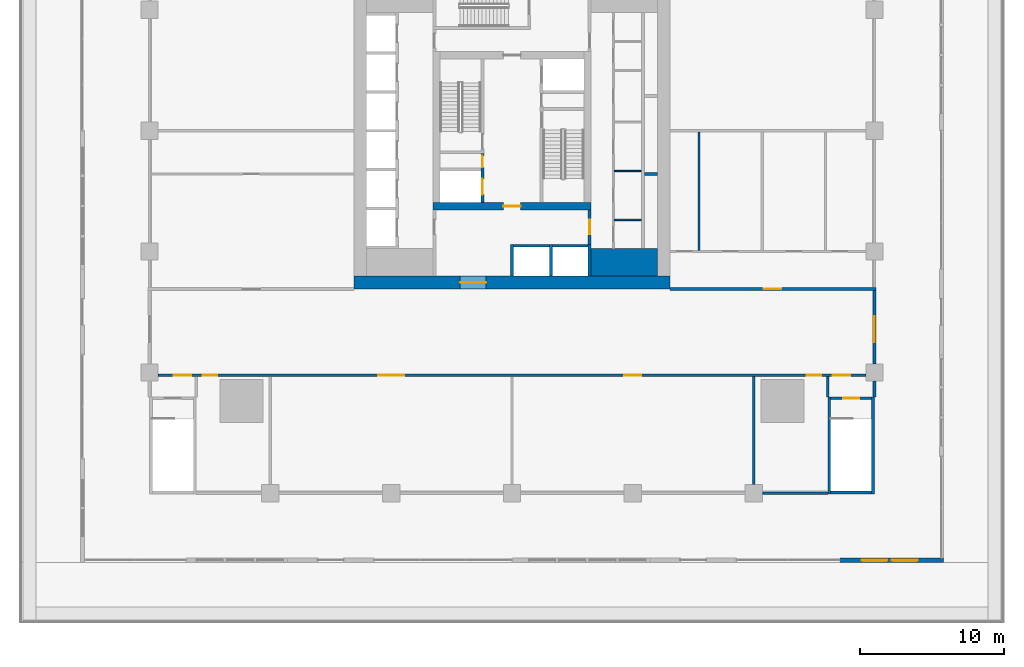
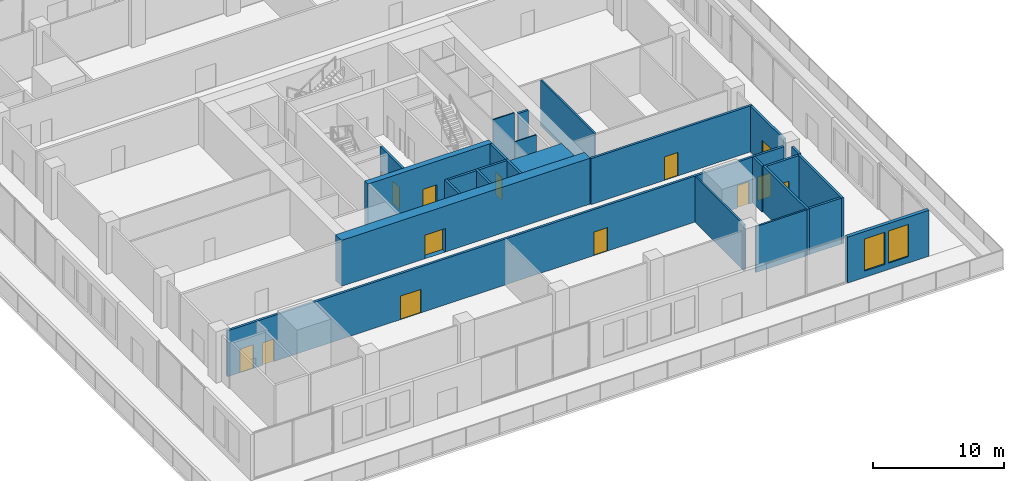
# One storey, part 13 of 22: 26 walls, 14 doors, 2 windows, 16 openings.
"""IFC4 building model written with IfcOpenShell, lengths in metres."""

from ifc_helpers import new_model, si_unit, direction, frame, frame_2d, origin, place, context, subcontext, project, spatial, rectangle, extrude, material, layer, layer_set, type_object, element, fill, save


model = new_model("IFC4")

# Units and contexts
model_context = context("Model", 3, precision=1e-05, world=origin(), true_north=direction((0.0, 1.0)))
body_context = subcontext(model_context, "Body", "Model", "MODEL_VIEW")
ifc_project = project(units=[si_unit("LENGTHUNIT", "METRE"), si_unit("AREAUNIT", "SQUARE_METRE"), si_unit("VOLUMEUNIT", "CUBIC_METRE"), si_unit("PLANEANGLEUNIT", "RADIAN"), si_unit("MASSUNIT", "GRAM", prefix="KILO")], contexts=[model_context])

# Site, building, storey
site_placement = place(None, origin())
site = spatial("IfcSite", under=ifc_project, at=site_placement, CompositionType="ELEMENT")
building_placement = place(site_placement, origin())
building = spatial("IfcBuilding", under=site, at=building_placement, Name="Khepri Terraces", CompositionType="ELEMENT")
storey_placement = place(building_placement, frame((0.0, 0.0, 22.199951171875)))
storey = spatial("IfcBuildingStorey", under=building, at=storey_placement, Name="L04", CompositionType="ELEMENT", Elevation=22.199951171875)

# Walls
ifc_material_1 = material(Name="Concrete C80/95", Category="concrete")
ifc_layer_1 = layer(ifc_material_1, 1.89990234375, Name="Concrete C80/95", Category="concrete")
ifc_layer_set_1 = layer_set([ifc_layer_1], Name="Concrete C80/95")
wall_type_1 = type_object("IfcWallType", Name="Core wall 1900 C80/95", PredefinedType="SHEAR", material=ifc_layer_set_1)
wall_1_placement = place(storey_placement, frame((5.5, -9.14990234375, 0.0), z_axis=(0.0, 0.0, 1.0), x_axis=(1.0, 0.0, 0.0)))
element("IfcWall", 1, at=wall_1_placement, inside=storey, type_object=wall_type_1, Name="Core wall PR02 L04", PredefinedType="SHEAR", context=body_context, shape_type="SweptSolid", body=[
    extrude(rectangle(XDim=4.60009765625, YDim=1.89990234375, at=frame_2d((2.300048828125, 0.0))), origin(), (0.0, 0.0, 1.0), 4.300048828125),
])
ifc_layer_2 = layer(ifc_material_1, 0.199951171875, Name="Concrete C80/95", Category="concrete")
ifc_layer_set_2 = layer_set([ifc_layer_2], Name="Concrete C80/95")
wall_type_2 = type_object("IfcWallType", Name="Core wall 200 C80/95", PredefinedType="SHEAR", material=ifc_layer_set_2)
for number, where, z_axis, x_axis, name in (
    (2, (0.0, -10.10009765625, 0.0), (0.0, 0.0, 1.0), (0.0, 1.0, 0.0), "Core wall SH01 L04"),
    (3, (2.699951171875, -10.10009765625, 0.0), (0.0, 0.0, 1.0), (0.0, 1.0, 0.0), "Core wall SH02 L04"),
    (4, (5.39990234375, -10.10009765625, 0.0), (0.0, 0.0, 1.0), (0.0, 1.0, 0.0), "Core wall SH03 L04"),
):
    element("IfcWall", number, at=place(storey_placement, frame(where, z_axis=z_axis, x_axis=x_axis)), inside=storey, type_object=wall_type_2, Name=name, PredefinedType="SHEAR", context=body_context, shape_type="SweptSolid", body=[
        extrude(rectangle(XDim=2.2001953125, YDim=0.199951171875, at=frame_2d((1.10009765625, 0.0))), origin(), (0.0, 0.0, 1.0), 4.300048828125),
    ])
for number, where, z_axis, x_axis, name in (
    (5, (0.10009765625, -8.0, 0.0), (0.0, 0.0, 1.0), (1.0, 0.0, 0.0), "Core wall SH06 L04"),
    (6, (2.800048828125, -8.0, 0.0), (0.0, 0.0, 1.0), (1.0, 0.0, 0.0), "Core wall SH07 L04"),
):
    element("IfcWall", number, at=place(storey_placement, frame(where, z_axis=z_axis, x_axis=x_axis)), inside=storey, type_object=wall_type_2, Name=name, PredefinedType="SHEAR", context=body_context, shape_type="SweptSolid", body=[
        extrude(rectangle(XDim=2.5, YDim=0.199951171875, at=frame_2d((1.25, 0.0))), origin(), (0.0, 0.0, 1.0), 4.300048828125),
    ])

# Wall, openings, doors
wall_2_placement = place(storey_placement, frame((-2.050048828125, -5.0, 0.0), z_axis=(0.0, 0.0, 1.0), x_axis=(0.0, 1.0, 0.0)))
wall_2 = element("IfcWall", 7, at=wall_2_placement, inside=storey, type_object=wall_type_2, Name="Core wall SH10 L04", PredefinedType="SHEAR", context=body_context, shape_type="SweptSolid", body=[
    extrude(rectangle(XDim=3.39990234375, YDim=0.199951171875, at=frame_2d((1.699951171875, 0.0))), origin(), (0.0, 0.0, 1.0), 4.300048828125),
])
opening_1_placement = place(wall_2_placement, frame((0.550048828125, 0.0, 0.0)))
opening_1 = element("IfcOpeningElement", 8, at=opening_1_placement, cuts=wall_2, Name="Opening L04-C08", PredefinedType="OPENING", context=body_context, shape_type="SweptSolid", body=[
    extrude(rectangle(XDim=1.10009765625, YDim=2.10009765625, at=frame_2d((0.550048828125, 1.050048828125))), frame((0.0, 0.10986328125, 0.0), z_axis=(0.0, -1.0, 0.0), x_axis=(1.0, 0.0, 0.0)), (0.0, 0.0, 1.0), 0.219970703125),
])
opening_2_placement = place(wall_2_placement, frame((2.449951171875, 0.0, 0.0)))
opening_2 = element("IfcOpeningElement", 9, at=opening_2_placement, cuts=wall_2, Name="Opening L04-C12", PredefinedType="OPENING", context=body_context, shape_type="SweptSolid", body=[
    extrude(rectangle(XDim=0.800048828125, YDim=2.10009765625, at=frame_2d((0.39990234375, 1.050048828125))), frame((0.0, 0.10986328125, 0.0), z_axis=(0.0, -1.0, 0.0), x_axis=(1.0, 0.0, 0.0)), (0.0, 0.0, 1.0), 0.219970703125),
])
ifc_material_2 = material(Name="Stainless steel 304", Category="steel")
door_type_1 = type_object("IfcDoorType", Name="DR-CORE-FF-LANDING-1100", OperationType="NOTDEFINED", PredefinedType="DOOR", material=ifc_material_2)
door_1_placement = place(opening_1_placement, origin())
door_1 = element("IfcDoor", 10, at=door_1_placement, inside=storey, type_object=door_type_1, Name="Firefighting lift landing door L04-C08", OperationType="SLIDING_TO_LEFT", OverallHeight=2.10009765625, OverallWidth=1.10009765625, PredefinedType="DOOR", context=body_context, shape_type="SweptSolid", body=[
    extrude(rectangle(XDim=1.10009765625, YDim=2.10009765625, at=frame_2d((0.550048828125, 1.050048828125))), frame((0.0, 0.02490234375, 0.0), z_axis=(0.0, -1.0, 0.0), x_axis=(1.0, 0.0, 0.0)), (0.0, 0.0, 1.0), 0.050048828125),
])
fill(opening_1, door_1)
ifc_material_3 = material(Name="Painted steel", Category="steel")
door_type_2 = type_object("IfcDoorType", Name="DR-CORE-RISER-800", OperationType="NOTDEFINED", PredefinedType="DOOR", material=ifc_material_3)
door_2_placement = place(opening_2_placement, origin())
door_2 = element("IfcDoor", 11, at=door_2_placement, inside=storey, type_object=door_type_2, Name="Riser door L04-C12", OperationType="SINGLE_SWING_RIGHT", OverallHeight=2.10009765625, OverallWidth=0.800048828125, PredefinedType="DOOR", context=body_context, shape_type="SweptSolid", body=[
    extrude(rectangle(XDim=0.800048828125, YDim=2.10009765625, at=frame_2d((0.39990234375, 1.050048828125))), frame((0.0, 0.02490234375, 0.0), z_axis=(0.0, -1.0, 0.0), x_axis=(1.0, 0.0, 0.0)), (0.0, 0.0, 1.0), 0.050048828125),
])
fill(opening_2, door_2)

# Wall
wall_3_placement = place(storey_placement, frame((9.199951171875, -3.0, 0.0), z_axis=(0.0, 0.0, 1.0), x_axis=(1.0, 0.0, 0.0)))
element("IfcWall", 12, at=wall_3_placement, inside=storey, type_object=wall_type_2, Name="Core wall SH11 L04", PredefinedType="SHEAR", context=body_context, shape_type="SweptSolid", body=[
    extrude(rectangle(XDim=0.900146484375, YDim=0.199951171875, at=frame_2d((0.4501953125, 0.0))), origin(), (0.0, 0.0, 1.0), 4.300048828125),
])

# Wall, opening, door
ifc_layer_3 = layer(ifc_material_1, 0.5, Name="Concrete C80/95", Category="concrete")
ifc_layer_set_3 = layer_set([ifc_layer_3], Name="Concrete C80/95")
wall_type_3 = type_object("IfcWallType", Name="Core wall 500 C80/95", PredefinedType="SHEAR", material=ifc_layer_set_3)
wall_4_placement = place(storey_placement, frame((-5.5, -5.25, 0.0), z_axis=(0.0, 0.0, 1.0), x_axis=(1.0, 0.0, 0.0)))
wall_4 = element("IfcWall", 13, at=wall_4_placement, inside=storey, type_object=wall_type_3, Name="Core wall BX01 L04", PredefinedType="SHEAR", context=body_context, shape_type="SweptSolid", body=[
    extrude(rectangle(XDim=11.0, YDim=0.5, at=frame_2d((5.5, 0.0))), origin(), (0.0, 0.0, 1.0), 4.300048828125),
])
opening_3_placement = place(wall_4_placement, frame((4.89990234375, 0.0, 0.0)))
opening_3 = element("IfcOpeningElement", 14, at=opening_3_placement, cuts=wall_4, Name="Opening L04-C14", PredefinedType="OPENING", context=body_context, shape_type="SweptSolid", body=[
    extrude(rectangle(XDim=1.199951171875, YDim=2.10009765625, at=frame_2d((0.60009765625, 1.050048828125))), frame((0.0, 0.260009765625, 0.0), z_axis=(0.0, -1.0, 0.0), x_axis=(1.0, 0.0, 0.0)), (0.0, 0.0, 1.0), 0.52001953125),
])
door_type_3 = type_object("IfcDoorType", Name="DR-CORE-FF-LOBBY-1200", OperationType="NOTDEFINED", PredefinedType="DOOR", material=ifc_material_3)
door_3_placement = place(opening_3_placement, origin())
door_3 = element("IfcDoor", 15, at=door_3_placement, inside=storey, type_object=door_type_3, Name="Firefighting lobby door L04-C14", OperationType="SINGLE_SWING_RIGHT", OverallHeight=2.10009765625, OverallWidth=1.199951171875, PredefinedType="DOOR", context=body_context, shape_type="SweptSolid", body=[
    extrude(rectangle(XDim=1.199951171875, YDim=2.10009765625, at=frame_2d((0.60009765625, 1.050048828125))), frame((0.0, 0.02490234375, 0.0), z_axis=(0.0, -1.0, 0.0), x_axis=(1.0, 0.0, 0.0)), (0.0, 0.0, 1.0), 0.050048828125),
])
fill(opening_3, door_3)

ifc_layer_4 = layer(ifc_material_1, 0.89990234375, Name="Concrete C80/95", Category="concrete")
ifc_layer_set_4 = layer_set([ifc_layer_4], Name="Concrete C80/95")
wall_type_4 = type_object("IfcWallType", Name="Core wall 900 C80/95", PredefinedType="SHEAR", material=ifc_layer_set_4)
wall_5_placement = place(storey_placement, frame((-11.0, -10.550048828125, 0.0), z_axis=(0.0, 0.0, 1.0), x_axis=(1.0, 0.0, 0.0)))
wall_5 = element("IfcWall", 16, at=wall_5_placement, inside=storey, type_object=wall_type_4, Name="Core wall OW-S L04", PredefinedType="SHEAR", context=body_context, shape_type="SweptSolid", body=[
    extrude(rectangle(XDim=22.0, YDim=0.89990234375, at=frame_2d((11.0, 0.0))), origin(), (0.0, 0.0, 1.0), 4.300048828125),
])
opening_4_placement = place(wall_5_placement, frame((7.39990234375, 0.0, 0.0)))
opening_4 = element("IfcOpeningElement", 17, at=opening_4_placement, cuts=wall_5, Name="Opening L04-C21", PredefinedType="OPENING", context=body_context, shape_type="SweptSolid", body=[
    extrude(rectangle(XDim=1.800048828125, YDim=2.199951171875, at=frame_2d((0.89990234375, 1.10009765625))), frame((0.0, 0.4599609375, 0.0), z_axis=(0.0, -1.0, 0.0), x_axis=(1.0, 0.0, 0.0)), (0.0, 0.0, 1.0), 0.919921875),
])
door_type_4 = type_object("IfcDoorType", Name="DR-CORE-ENTRANCE-1800", OperationType="NOTDEFINED", PredefinedType="DOOR", material=ifc_material_3)
door_4_placement = place(opening_4_placement, frame((1.800048828125, 0.0, 0.0), z_axis=(0.0, 0.0, 1.0), x_axis=(-1.0, 0.0, 0.0)))
door_4 = element("IfcDoor", 18, at=door_4_placement, inside=storey, type_object=door_type_4, Name="Core entrance door pair L04-C21", OperationType="DOUBLE_DOOR_SINGLE_SWING", OverallHeight=2.199951171875, OverallWidth=1.800048828125, PredefinedType="DOOR", context=body_context, shape_type="SweptSolid", body=[
    extrude(rectangle(XDim=1.800048828125, YDim=2.199951171875, at=frame_2d((0.89990234375, 1.10009765625))), frame((0.0, 0.02490234375, 0.0), z_axis=(0.0, -1.0, 0.0), x_axis=(1.0, 0.0, 0.0)), (0.0, 0.0, 1.0), 0.050048828125),
])
fill(opening_4, door_4)

# Walls
ifc_material_4 = material(Name="Fire-rated gypsum board partition")
ifc_layer_5 = layer(ifc_material_4, 0.10009765625, Name="Fire-rated gypsum board partition")
ifc_layer_set_5 = layer_set([ifc_layer_5], Name="Fire-rated gypsum board partition")
wall_type_5 = type_object("IfcWallType", Name="WL-CORE-PART-100", PredefinedType="PARTITIONING", material=ifc_layer_set_5)
for number, where, z_axis, x_axis, name in (
    (19, (7.10009765625, -6.199951171875, 0.0), (0.0, 0.0, 1.0), (1.0, 0.0, 0.0), "Core partition PT04 L04"),
    (20, (7.10009765625, -2.800048828125, 0.0), (0.0, 0.0, 1.0), (1.0, 0.0, 0.0), "Core partition PT05 L04"),
):
    element("IfcWall", number, at=place(storey_placement, frame(where, z_axis=z_axis, x_axis=x_axis)), inside=storey, type_object=wall_type_5, Name=name, PredefinedType="PARTITIONING", context=body_context, shape_type="SweptSolid", body=[
        extrude(rectangle(XDim=1.89990234375, YDim=0.10009765625, at=frame_2d((0.949951171875, 0.0))), origin(), (0.0, 0.0, 1.0), 4.300048828125),
    ])

# Wall, opening, door
ifc_layer_6 = layer(ifc_material_4, 0.199951171875, Name="Fire-rated gypsum board partition")
ifc_layer_set_6 = layer_set([ifc_layer_6], Name="Fire-rated gypsum board partition")
wall_type_6 = type_object("IfcWallType", Name="WL-CORE-PART-200", PredefinedType="PARTITIONING", material=ifc_layer_set_6)
wall_6_placement = place(storey_placement, frame((5.39990234375, -7.89990234375, 0.0), z_axis=(0.0, 0.0, 1.0), x_axis=(0.0, 1.0, 0.0)))
wall_6 = element("IfcWall", 21, at=wall_6_placement, inside=storey, type_object=wall_type_6, Name="Core partition PT03 L04", PredefinedType="PARTITIONING", context=body_context, shape_type="SweptSolid", body=[
    extrude(rectangle(XDim=2.39990234375, YDim=0.199951171875, at=frame_2d((1.199951171875, 0.0))), origin(), (0.0, 0.0, 1.0), 4.300048828125),
])
opening_5_placement = place(wall_6_placement, frame((0.699951171875, 0.0, 0.0)))
opening_5 = element("IfcOpeningElement", 22, at=opening_5_placement, cuts=wall_6, Name="Opening L04-C19", PredefinedType="OPENING", context=body_context, shape_type="SweptSolid", body=[
    extrude(rectangle(XDim=1.0, YDim=2.10009765625, at=frame_2d((0.5, 1.050048828125))), frame((0.0, 0.10986328125, 0.0), z_axis=(0.0, -1.0, 0.0), x_axis=(1.0, 0.0, 0.0)), (0.0, 0.0, 1.0), 0.219970703125),
])
door_type_5 = type_object("IfcDoorType", Name="DR-CORE-LOBBY-1000", OperationType="NOTDEFINED", PredefinedType="DOOR", material=ifc_material_3)
door_5_placement = place(opening_5_placement, origin())
door_5 = element("IfcDoor", 23, at=door_5_placement, inside=storey, type_object=door_type_5, Name="Lobby door L04-C19", OperationType="SINGLE_SWING_RIGHT", OverallHeight=2.10009765625, OverallWidth=1.0, PredefinedType="DOOR", context=body_context, shape_type="SweptSolid", body=[
    extrude(rectangle(XDim=1.0, YDim=2.10009765625, at=frame_2d((0.5, 1.050048828125))), frame((0.0, 0.02490234375, 0.0), z_axis=(0.0, -1.0, 0.0), x_axis=(1.0, 0.0, 0.0)), (0.0, 0.0, 1.0), 0.050048828125),
])
fill(opening_5, door_5)

# Wall, openings, windows
ifc_material_5 = material(Name="Precast concrete C50/60 warm stone", Category="masonry")
ifc_layer_7 = layer(ifc_material_5, 0.300048828125, Name="Precast concrete C50/60 warm stone", Category="masonry")
ifc_layer_set_7 = layer_set([ifc_layer_7], Name="Precast concrete C50/60 warm stone")
wall_type_7 = type_object("IfcWallType", Name="WL-EXT-PRECAST-300", PredefinedType="STANDARD", material=ifc_layer_set_7)
wall_7_placement = place(storey_placement, frame((22.800048828125, -29.85009765625, 0.0), z_axis=(0.0, 0.0, 1.0), x_axis=(1.0, 0.0, 0.0)))
wall_7 = element("IfcWall", 24, at=wall_7_placement, inside=storey, type_object=wall_type_7, Name="External wall L04 S", PredefinedType="STANDARD", context=body_context, shape_type="SweptSolid", body=[
    extrude(rectangle(XDim=7.199951171875, YDim=0.300048828125, at=frame_2d((3.60009765625, 0.0))), origin(), (0.0, 0.0, 1.0), 4.300048828125),
])
opening_6_placement = place(wall_7_placement, frame((1.5, 0.0, 0.60009765625)))
opening_6 = element("IfcOpeningElement", 25, at=opening_6_placement, cuts=wall_7, Name="Opening WP1", PredefinedType="OPENING", context=body_context, shape_type="SweptSolid", body=[
    extrude(rectangle(XDim=1.800048828125, YDim=3.0, at=frame_2d((0.89990234375, 1.5))), frame((0.0, 0.16015625, 0.0), z_axis=(0.0, -1.0, 0.0), x_axis=(1.0, 0.0, 0.0)), (0.0, 0.0, 1.0), 0.320068359375),
])
opening_7_placement = place(wall_7_placement, frame((3.60009765625, 0.0, 0.60009765625)))
opening_7 = element("IfcOpeningElement", 26, at=opening_7_placement, cuts=wall_7, Name="Opening WP1", PredefinedType="OPENING", context=body_context, shape_type="SweptSolid", body=[
    extrude(rectangle(XDim=1.800048828125, YDim=3.0, at=frame_2d((0.89990234375, 1.5))), frame((0.0, 0.16015625, 0.0), z_axis=(0.0, -1.0, 0.0), x_axis=(1.0, 0.0, 0.0)), (0.0, 0.0, 1.0), 0.320068359375),
])
ifc_material_6 = material(Name="Clear glass", Category="glass")
window_type = type_object("IfcWindowType", Name="WIN-POD-1800x3000", PartitioningType="SINGLE_PANEL", PredefinedType="WINDOW", material=ifc_material_6)
window_1_placement = place(opening_6_placement, origin())
window_1 = element("IfcWindow", 27, at=window_1_placement, inside=storey, type_object=window_type, Name="Window L04 S", OverallHeight=3.0, OverallWidth=1.800048828125, PartitioningType="SINGLE_PANEL", PredefinedType="WINDOW", context=body_context, shape_type="SweptSolid", body=[
    extrude(rectangle(XDim=1.800048828125, YDim=3.0, at=frame_2d((0.89990234375, 1.5))), frame((0.0, 0.030029296875, 0.0), z_axis=(0.0, -1.0, 0.0), x_axis=(1.0, 0.0, 0.0)), (0.0, 0.0, 1.0), 0.06005859375),
])
fill(opening_6, window_1)
window_2_placement = place(opening_7_placement, origin())
window_2 = element("IfcWindow", 28, at=window_2_placement, inside=storey, type_object=window_type, Name="Window L04 S", OverallHeight=3.0, OverallWidth=1.800048828125, PartitioningType="SINGLE_PANEL", PredefinedType="WINDOW", context=body_context, shape_type="SweptSolid", body=[
    extrude(rectangle(XDim=1.800048828125, YDim=3.0, at=frame_2d((0.89990234375, 1.5))), frame((0.0, 0.030029296875, 0.0), z_axis=(0.0, -1.0, 0.0), x_axis=(1.0, 0.0, 0.0)), (0.0, 0.0, 1.0), 0.06005859375),
])
fill(opening_7, window_2)

# Walls
ifc_material_7 = material(Name="Gypsum board partition")
ifc_layer_8 = layer(ifc_material_7, 0.14990234375, Name="Gypsum board partition")
ifc_layer_set_8 = layer_set([ifc_layer_8], Name="Gypsum board partition")
wall_type_8 = type_object("IfcWallType", Name="WL-POD-150", PredefinedType="PARTITIONING", material=ifc_layer_set_8)
wall_8_placement = place(storey_placement, frame((17.39990234375, -25.199951171875, 0.0), z_axis=(0.0, 0.0, 1.0), x_axis=(1.0, 0.0, 0.0)))
element("IfcWall", 29, at=wall_8_placement, inside=storey, type_object=wall_type_8, Name="Partition L04-PW006", PredefinedType="PARTITIONING", context=body_context, shape_type="SweptSolid", body=[
    extrude(rectangle(XDim=4.550048828125, YDim=0.14990234375, at=frame_2d((2.27490234375, 0.0))), origin(), (0.0, 0.0, 1.0), 4.300048828125),
])
wall_9_placement = place(storey_placement, frame((13.0, -8.324951171875, 0.0), z_axis=(0.0, 0.0, 1.0), x_axis=(0.0, 1.0, 0.0)))
element("IfcWall", 30, at=wall_9_placement, inside=storey, type_object=wall_type_8, Name="Partition L04-PW037", PredefinedType="PARTITIONING", context=body_context, shape_type="SweptSolid", body=[
    extrude(rectangle(XDim=8.25, YDim=0.14990234375, at=frame_2d((4.125, 0.0))), origin(), (0.0, 0.0, 1.0), 4.300048828125),
])
wall_10_placement = place(storey_placement, frame((16.800048828125, -24.60009765625, 0.0), z_axis=(0.0, 0.0, 1.0), x_axis=(0.0, 1.0, 0.0)))
element("IfcWall", 31, at=wall_10_placement, inside=storey, type_object=wall_type_8, Name="Partition L04-PW038", PredefinedType="PARTITIONING", context=body_context, shape_type="SweptSolid", body=[
    extrude(rectangle(XDim=7.5, YDim=0.14990234375, at=frame_2d((3.75, 0.0))), origin(), (0.0, 0.0, 1.0), 4.300048828125),
])

# Wall, openings, doors
ifc_material_8 = material(Name="Fire-rated block wall")
ifc_layer_9 = layer(ifc_material_8, 0.199951171875, Name="Fire-rated block wall")
ifc_layer_set_9 = layer_set([ifc_layer_9], Name="Fire-rated block wall")
wall_type_9 = type_object("IfcWallType", Name="WL-POD-200-EI60", PredefinedType="PARTITIONING", material=ifc_layer_set_9)
wall_11_placement = place(storey_placement, frame((-24.60009765625, -17.0, 0.0), z_axis=(0.0, 0.0, 1.0), x_axis=(1.0, 0.0, 0.0)))
wall_11 = element("IfcWall", 32, at=wall_11_placement, inside=storey, type_object=wall_type_9, Name="Partition L04-PW007", PredefinedType="PARTITIONING", context=body_context, shape_type="SweptSolid", body=[
    extrude(rectangle(XDim=49.2001953125, YDim=0.199951171875, at=frame_2d((24.60009765625, 0.0))), origin(), (0.0, 0.0, 1.0), 4.300048828125),
])
opening_8_placement = place(wall_11_placement, frame((1.10009765625, 0.0, 0.0)))
opening_8 = element("IfcOpeningElement", 33, at=opening_8_placement, cuts=wall_11, Name="Opening L04-P01", PredefinedType="OPENING", context=body_context, shape_type="SweptSolid", body=[
    extrude(rectangle(XDim=1.199951171875, YDim=2.199951171875, at=frame_2d((0.60009765625, 1.10009765625))), frame((0.0, 0.10986328125, 0.0), z_axis=(0.0, -1.0, 0.0), x_axis=(1.0, 0.0, 0.0)), (0.0, 0.0, 1.0), 0.219970703125),
])
opening_9_placement = place(wall_11_placement, frame((3.10009765625, 0.0, 0.0)))
opening_9 = element("IfcOpeningElement", 34, at=opening_9_placement, cuts=wall_11, Name="Opening L04-P02", PredefinedType="OPENING", context=body_context, shape_type="SweptSolid", body=[
    extrude(rectangle(XDim=1.0, YDim=2.10009765625, at=frame_2d((0.5, 1.050048828125))), frame((0.0, 0.10986328125, 0.0), z_axis=(0.0, -1.0, 0.0), x_axis=(1.0, 0.0, 0.0)), (0.0, 0.0, 1.0), 0.219970703125),
])
opening_10_placement = place(wall_11_placement, frame((15.300048828125, 0.0, 0.0)))
opening_10 = element("IfcOpeningElement", 35, at=opening_10_placement, cuts=wall_11, Name="Opening L04-P03", PredefinedType="OPENING", context=body_context, shape_type="SweptSolid", body=[
    extrude(rectangle(XDim=1.800048828125, YDim=2.199951171875, at=frame_2d((0.89990234375, 1.10009765625))), frame((0.0, 0.10986328125, 0.0), z_axis=(0.0, -1.0, 0.0), x_axis=(1.0, 0.0, 0.0)), (0.0, 0.0, 1.0), 0.219970703125),
])
opening_11_placement = place(wall_11_placement, frame((32.39990234375, 0.0, 0.0)))
opening_11 = element("IfcOpeningElement", 36, at=opening_11_placement, cuts=wall_11, Name="Opening L04-P04", PredefinedType="OPENING", context=body_context, shape_type="SweptSolid", body=[
    extrude(rectangle(XDim=1.199951171875, YDim=2.199951171875, at=frame_2d((0.60009765625, 1.10009765625))), frame((0.0, 0.10986328125, 0.0), z_axis=(0.0, -1.0, 0.0), x_axis=(1.0, 0.0, 0.0)), (0.0, 0.0, 1.0), 0.219970703125),
])
opening_12_placement = place(wall_11_placement, frame((45.10009765625, 0.0, 0.0)))
opening_12 = element("IfcOpeningElement", 37, at=opening_12_placement, cuts=wall_11, Name="Opening L04-P05", PredefinedType="OPENING", context=body_context, shape_type="SweptSolid", body=[
    extrude(rectangle(XDim=1.0, YDim=2.10009765625, at=frame_2d((0.5, 1.050048828125))), frame((0.0, 0.10986328125, 0.0), z_axis=(0.0, -1.0, 0.0), x_axis=(1.0, 0.0, 0.0)), (0.0, 0.0, 1.0), 0.219970703125),
])
opening_13_placement = place(wall_11_placement, frame((46.89990234375, 0.0, 0.0)))
opening_13 = element("IfcOpeningElement", 38, at=opening_13_placement, cuts=wall_11, Name="Opening L04-P06", PredefinedType="OPENING", context=body_context, shape_type="SweptSolid", body=[
    extrude(rectangle(XDim=1.199951171875, YDim=2.199951171875, at=frame_2d((0.60009765625, 1.10009765625))), frame((0.0, 0.10986328125, 0.0), z_axis=(0.0, -1.0, 0.0), x_axis=(1.0, 0.0, 0.0)), (0.0, 0.0, 1.0), 0.219970703125),
])
door_type_6 = type_object("IfcDoorType", Name="DR-POD-FIRE-1200", OperationType="NOTDEFINED", PredefinedType="DOOR", material=ifc_material_3)
door_6_placement = place(opening_8_placement, origin())
door_6 = element("IfcDoor", 39, at=door_6_placement, inside=storey, type_object=door_type_6, Name="Fire door L04-P01", OperationType="SINGLE_SWING_LEFT", OverallHeight=2.199951171875, OverallWidth=1.199951171875, PredefinedType="DOOR", context=body_context, shape_type="SweptSolid", body=[
    extrude(rectangle(XDim=1.199951171875, YDim=2.199951171875, at=frame_2d((0.60009765625, 1.10009765625))), frame((0.0, 0.02490234375, 0.0), z_axis=(0.0, -1.0, 0.0), x_axis=(1.0, 0.0, 0.0)), (0.0, 0.0, 1.0), 0.050048828125),
])
fill(opening_8, door_6)
door_7_placement = place(opening_13_placement, origin())
door_7 = element("IfcDoor", 40, at=door_7_placement, inside=storey, type_object=door_type_6, Name="Fire door L04-P06", OperationType="SINGLE_SWING_RIGHT", OverallHeight=2.199951171875, OverallWidth=1.199951171875, PredefinedType="DOOR", context=body_context, shape_type="SweptSolid", body=[
    extrude(rectangle(XDim=1.199951171875, YDim=2.199951171875, at=frame_2d((0.60009765625, 1.10009765625))), frame((0.0, 0.02490234375, 0.0), z_axis=(0.0, -1.0, 0.0), x_axis=(1.0, 0.0, 0.0)), (0.0, 0.0, 1.0), 0.050048828125),
])
fill(opening_13, door_7)
ifc_material_9 = material(Name="Glazed aluminium", Category="aluminium")
door_type_7 = type_object("IfcDoorType", Name="DR-POD-PAIR-1800", OperationType="DOUBLE_DOOR_SINGLE_SWING", PredefinedType="DOOR", material=ifc_material_9)
door_8_placement = place(opening_10_placement, origin())
door_8 = element("IfcDoor", 41, at=door_8_placement, inside=storey, type_object=door_type_7, Name="Double door L04-P03", OperationType="DOUBLE_DOOR_SINGLE_SWING", OverallHeight=2.199951171875, OverallWidth=1.800048828125, PredefinedType="DOOR", context=body_context, shape_type="SweptSolid", body=[
    extrude(rectangle(XDim=1.800048828125, YDim=2.199951171875, at=frame_2d((0.89990234375, 1.10009765625))), frame((0.0, 0.02490234375, 0.0), z_axis=(0.0, -1.0, 0.0), x_axis=(1.0, 0.0, 0.0)), (0.0, 0.0, 1.0), 0.050048828125),
])
fill(opening_10, door_8)
ifc_material_10 = material(Name="Timber veneer", Category="wood")
door_type_8 = type_object("IfcDoorType", Name="DR-POD-SINGLE-1000", OperationType="NOTDEFINED", PredefinedType="DOOR", material=ifc_material_10)
door_9_placement = place(opening_9_placement, origin())
door_9 = element("IfcDoor", 42, at=door_9_placement, inside=storey, type_object=door_type_8, Name="Door L04-P02", OperationType="SINGLE_SWING_RIGHT", OverallHeight=2.10009765625, OverallWidth=1.0, PredefinedType="DOOR", context=body_context, shape_type="SweptSolid", body=[
    extrude(rectangle(XDim=1.0, YDim=2.10009765625, at=frame_2d((0.5, 1.050048828125))), frame((0.0, 0.02490234375, 0.0), z_axis=(0.0, -1.0, 0.0), x_axis=(1.0, 0.0, 0.0)), (0.0, 0.0, 1.0), 0.050048828125),
])
fill(opening_9, door_9)
door_10_placement = place(opening_12_placement, origin())
door_10 = element("IfcDoor", 43, at=door_10_placement, inside=storey, type_object=door_type_8, Name="Door L04-P05", OperationType="SINGLE_SWING_LEFT", OverallHeight=2.10009765625, OverallWidth=1.0, PredefinedType="DOOR", context=body_context, shape_type="SweptSolid", body=[
    extrude(rectangle(XDim=1.0, YDim=2.10009765625, at=frame_2d((0.5, 1.050048828125))), frame((0.0, 0.02490234375, 0.0), z_axis=(0.0, -1.0, 0.0), x_axis=(1.0, 0.0, 0.0)), (0.0, 0.0, 1.0), 0.050048828125),
])
fill(opening_12, door_10)
door_type_9 = type_object("IfcDoorType", Name="DR-POD-SINGLE-1200", OperationType="NOTDEFINED", PredefinedType="DOOR", material=ifc_material_10)
door_11_placement = place(opening_11_placement, origin())
door_11 = element("IfcDoor", 44, at=door_11_placement, inside=storey, type_object=door_type_9, Name="Door L04-P04", OperationType="SINGLE_SWING_LEFT", OverallHeight=2.199951171875, OverallWidth=1.199951171875, PredefinedType="DOOR", context=body_context, shape_type="SweptSolid", body=[
    extrude(rectangle(XDim=1.199951171875, YDim=2.199951171875, at=frame_2d((0.60009765625, 1.10009765625))), frame((0.0, 0.02490234375, 0.0), z_axis=(0.0, -1.0, 0.0), x_axis=(1.0, 0.0, 0.0)), (0.0, 0.0, 1.0), 0.050048828125),
])
fill(opening_11, door_11)

# Wall, opening, door
wall_12_placement = place(storey_placement, frame((11.0, -11.0, 0.0), z_axis=(0.0, 0.0, 1.0), x_axis=(1.0, 0.0, 0.0)))
wall_12 = element("IfcWall", 45, at=wall_12_placement, inside=storey, type_object=wall_type_9, Name="Partition L04-PW009", PredefinedType="PARTITIONING", context=body_context, shape_type="SweptSolid", body=[
    extrude(rectangle(XDim=14.300048828125, YDim=0.199951171875, at=frame_2d((7.14990234375, 0.0))), origin(), (0.0, 0.0, 1.0), 4.300048828125),
])
opening_14_placement = place(wall_12_placement, frame((6.5, 0.0, 0.0)))
opening_14 = element("IfcOpeningElement", 46, at=opening_14_placement, cuts=wall_12, Name="Opening L04-P10", PredefinedType="OPENING", context=body_context, shape_type="SweptSolid", body=[
    extrude(rectangle(XDim=1.199951171875, YDim=2.199951171875, at=frame_2d((0.60009765625, 1.10009765625))), frame((0.0, 0.10986328125, 0.0), z_axis=(0.0, -1.0, 0.0), x_axis=(1.0, 0.0, 0.0)), (0.0, 0.0, 1.0), 0.219970703125),
])
door_12_placement = place(opening_14_placement, origin())
door_12 = element("IfcDoor", 47, at=door_12_placement, inside=storey, type_object=door_type_9, Name="Door L04-P10", OperationType="SINGLE_SWING_LEFT", OverallHeight=2.199951171875, OverallWidth=1.199951171875, PredefinedType="DOOR", context=body_context, shape_type="SweptSolid", body=[
    extrude(rectangle(XDim=1.199951171875, YDim=2.199951171875, at=frame_2d((0.60009765625, 1.10009765625))), frame((0.0, 0.02490234375, 0.0), z_axis=(0.0, -1.0, 0.0), x_axis=(1.0, 0.0, 0.0)), (0.0, 0.0, 1.0), 0.050048828125),
])
fill(opening_14, door_12)

# Walls
wall_13_placement = place(storey_placement, frame((21.949951171875, -18.5, 0.0), z_axis=(0.0, 0.0, 1.0), x_axis=(0.0, 1.0, 0.0)))
element("IfcWall", 48, at=wall_13_placement, inside=storey, type_object=wall_type_9, Name="Partition L04-PW042", PredefinedType="PARTITIONING", context=body_context, shape_type="SweptSolid", body=[
    extrude(rectangle(XDim=1.39990234375, YDim=0.199951171875, at=frame_2d((0.699951171875, 0.0))), origin(), (0.0, 0.0, 1.0), 4.300048828125),
])
wall_14_placement = place(storey_placement, frame((25.199951171875, -18.5, 0.0), z_axis=(0.0, 0.0, 1.0), x_axis=(0.0, 1.0, 0.0)))
element("IfcWall", 49, at=wall_14_placement, inside=storey, type_object=wall_type_9, Name="Partition L04-PW044", PredefinedType="PARTITIONING", context=body_context, shape_type="SweptSolid", body=[
    extrude(rectangle(XDim=1.10009765625, YDim=0.199951171875, at=frame_2d((0.550048828125, 0.0))), origin(), (0.0, 0.0, 1.0), 4.300048828125),
])

# Wall, opening, door
wall_15_placement = place(storey_placement, frame((25.199951171875, -16.199951171875, 0.0), z_axis=(0.0, 0.0, 1.0), x_axis=(0.0, 1.0, 0.0)))
wall_15 = element("IfcWall", 50, at=wall_15_placement, inside=storey, type_object=wall_type_9, Name="Partition L04-PW045", PredefinedType="PARTITIONING", context=body_context, shape_type="SweptSolid", body=[
    extrude(rectangle(XDim=5.099853515625, YDim=0.199951171875, at=frame_2d((2.5498046875, 0.0))), origin(), (0.0, 0.0, 1.0), 4.300048828125),
])
opening_15_placement = place(wall_15_placement, frame((1.5, 0.0, 0.0)))
opening_15 = element("IfcOpeningElement", 51, at=opening_15_placement, cuts=wall_15, Name="Opening L04-P08", PredefinedType="OPENING", context=body_context, shape_type="SweptSolid", body=[
    extrude(rectangle(XDim=1.800048828125, YDim=2.199951171875, at=frame_2d((0.89990234375, 1.10009765625))), frame((0.0, 0.10986328125, 0.0), z_axis=(0.0, -1.0, 0.0), x_axis=(1.0, 0.0, 0.0)), (0.0, 0.0, 1.0), 0.219970703125),
])
door_type_10 = type_object("IfcDoorType", Name="DR-POD-FIRE-PAIR-1800", OperationType="DOUBLE_DOOR_SINGLE_SWING", PredefinedType="DOOR", material=ifc_material_3)
door_13_placement = place(opening_15_placement, origin())
door_13 = element("IfcDoor", 52, at=door_13_placement, inside=storey, type_object=door_type_10, Name="Fire door pair L04-P08", OperationType="DOUBLE_DOOR_SINGLE_SWING", OverallHeight=2.199951171875, OverallWidth=1.800048828125, PredefinedType="DOOR", context=body_context, shape_type="SweptSolid", body=[
    extrude(rectangle(XDim=1.800048828125, YDim=2.199951171875, at=frame_2d((0.89990234375, 1.10009765625))), frame((0.0, 0.02490234375, 0.0), z_axis=(0.0, -1.0, 0.0), x_axis=(1.0, 0.0, 0.0)), (0.0, 0.0, 1.0), 0.050048828125),
])
fill(opening_15, door_13)

# Walls
ifc_material_11 = material(Name="Concrete C40/50", Category="concrete")
ifc_layer_10 = layer(ifc_material_11, 0.199951171875, Name="Concrete C40/50", Category="concrete")
ifc_layer_set_10 = layer_set([ifc_layer_10], Name="Concrete C40/50")
wall_type_10 = type_object("IfcWallType", Name="WL-POD-STAIR-200", PredefinedType="SOLIDWALL", material=ifc_layer_set_10)
for number, where, z_axis, x_axis, name in (
    (53, (22.050048828125, -25.239990234375, 0.0), (0.0, 0.0, 1.0), (0.0, 1.0, 0.0), "Stair enclosure PS-3 L04-W"),
    (54, (25.10009765625, -25.239990234375, 0.0), (0.0, 0.0, 1.0), (0.0, 1.0, 0.0), "Stair enclosure PS-3 L04-E"),
):
    element("IfcWall", number, at=place(storey_placement, frame(where, z_axis=z_axis, x_axis=x_axis)), inside=storey, type_object=wall_type_10, Name=name, PredefinedType="SOLIDWALL", context=body_context, shape_type="SweptSolid", body=[
        extrude(rectangle(XDim=6.739990234375, YDim=0.199951171875, at=frame_2d((3.3701171875, 0.0))), origin(), (0.0, 0.0, 1.0), 4.300048828125),
    ])
wall_16_placement = place(storey_placement, frame((22.14990234375, -25.139892578125, 0.0), z_axis=(0.0, 0.0, 1.0), x_axis=(1.0, 0.0, 0.0)))
element("IfcWall", 55, at=wall_16_placement, inside=storey, type_object=wall_type_10, Name="Stair enclosure PS-3 L04-S", PredefinedType="SOLIDWALL", context=body_context, shape_type="SweptSolid", body=[
    extrude(rectangle(XDim=2.85009765625, YDim=0.199951171875, at=frame_2d((1.425048828125, 0.0))), origin(), (0.0, 0.0, 1.0), 4.300048828125),
])

# Wall, opening, door
wall_17_placement = place(storey_placement, frame((22.14990234375, -18.60009765625, 0.0), z_axis=(0.0, 0.0, 1.0), x_axis=(1.0, 0.0, 0.0)))
wall_17 = element("IfcWall", 56, at=wall_17_placement, inside=storey, type_object=wall_type_10, Name="Stair enclosure PS-3 L04-N", PredefinedType="SOLIDWALL", context=body_context, shape_type="SweptSolid", body=[
    extrude(rectangle(XDim=2.85009765625, YDim=0.199951171875, at=frame_2d((1.425048828125, 0.0))), origin(), (0.0, 0.0, 1.0), 4.300048828125),
])
opening_16_placement = place(wall_17_placement, frame((0.875, 0.0, 0.0)))
opening_16 = element("IfcOpeningElement", 57, at=opening_16_placement, cuts=wall_17, Name="Opening L04-PS-3D", PredefinedType="OPENING", context=body_context, shape_type="SweptSolid", body=[
    extrude(rectangle(XDim=1.10009765625, YDim=2.199951171875, at=frame_2d((0.550048828125, 1.10009765625))), frame((0.0, 0.10986328125, 0.0), z_axis=(0.0, -1.0, 0.0), x_axis=(1.0, 0.0, 0.0)), (0.0, 0.0, 1.0), 0.219970703125),
])
door_type_11 = type_object("IfcDoorType", Name="DR-POD-STAIR-1100", OperationType="NOTDEFINED", PredefinedType="DOOR", material=ifc_material_3)
door_14_placement = place(opening_16_placement, origin())
door_14 = element("IfcDoor", 58, at=door_14_placement, inside=storey, type_object=door_type_11, Name="Stair door L04-PS-3D", OperationType="SINGLE_SWING_LEFT", OverallHeight=2.199951171875, OverallWidth=1.10009765625, PredefinedType="DOOR", context=body_context, shape_type="SweptSolid", body=[
    extrude(rectangle(XDim=1.10009765625, YDim=2.199951171875, at=frame_2d((0.550048828125, 1.10009765625))), frame((0.0, 0.02490234375, 0.0), z_axis=(0.0, -1.0, 0.0), x_axis=(1.0, 0.0, 0.0)), (0.0, 0.0, 1.0), 0.050048828125),
])
fill(opening_16, door_14)

save(model, "model.ifc")
